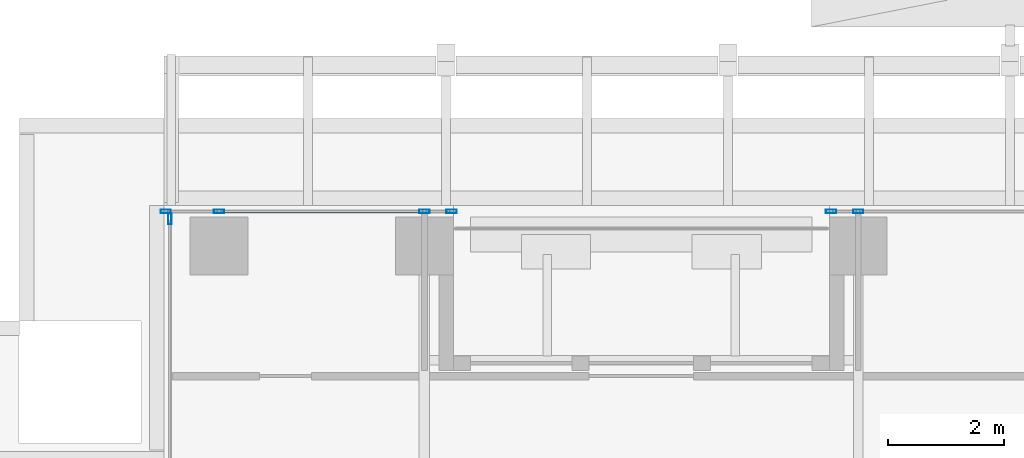
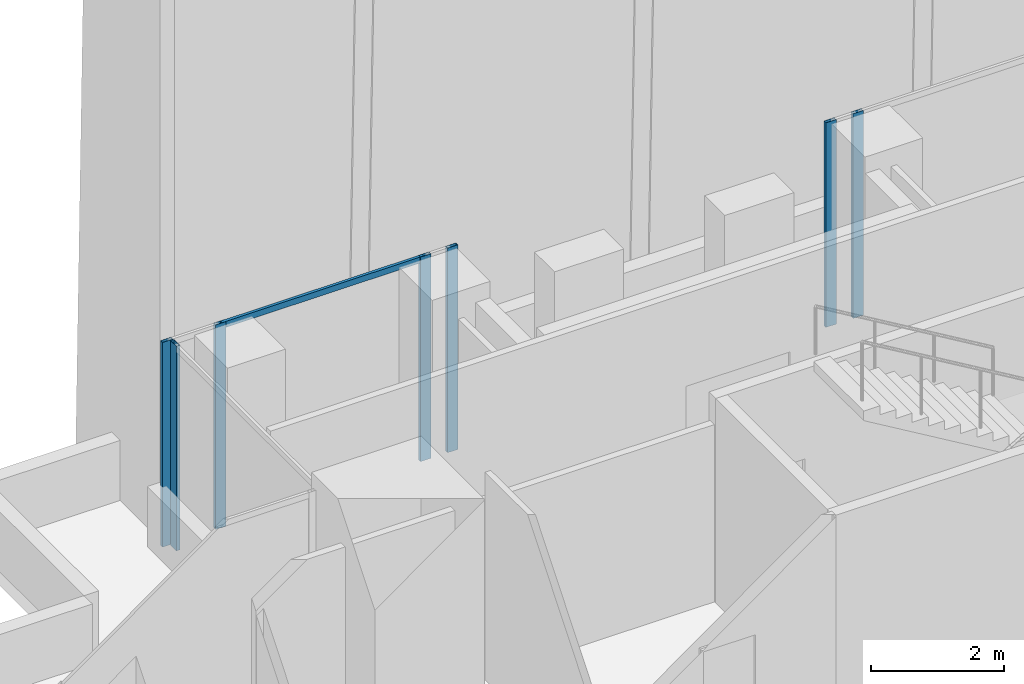
# One storey, part 21 of 43: 8 members, 3 elements without a shape of their own.
"""IFC4 building model written with IfcOpenShell, lengths in metres."""

from ifc_helpers import new_model, si_unit, direction, frame, origin, origin_2d, place, context, subcontext, project, spatial, hollow_rectangle, extrude, source, transform, mapped, material, material_profile, profile_set, type_object, element, aggregate, save


model = new_model("IFC4")

# Units and contexts
model_context = context("Model", 3, precision=1e-05, world=origin(), true_north=direction((0.0, 1.0)))
body_context = subcontext(model_context, "Body", "Model", "MODEL_VIEW")
ifc_project = project(units=[si_unit("LENGTHUNIT", "METRE"), si_unit("AREAUNIT", "SQUARE_METRE"), si_unit("VOLUMEUNIT", "CUBIC_METRE"), si_unit("PLANEANGLEUNIT", "RADIAN"), si_unit("MASSUNIT", "GRAM", prefix="KILO")], contexts=[model_context])

# Site, building, storey
site_placement = place(None, origin())
site = spatial("IfcSite", under=ifc_project, at=site_placement, CompositionType="ELEMENT")
building_placement = place(site_placement, origin())
building = spatial("IfcBuilding", under=site, at=building_placement, Name="Khomas Fold Tower", CompositionType="ELEMENT")
storey_placement = place(building_placement, frame((0.0, 0.0, 164.699951171875)))
storey = spatial("IfcBuildingStorey", under=building, at=storey_placement, Name="L35", CompositionType="ELEMENT", Elevation=164.699951171875)

# Curtain wall, members
ifc_material_1 = material(Name="Aluminium framed double glazing", Category="aluminium")
curtain_wall_type = type_object("IfcCurtainWallType", Name="SK-Unitised clear-glass wall, office floors CW2", PredefinedType="NOTDEFINED", material=ifc_material_1)
curtain_wall_1_placement = place(storey_placement, origin())
curtain_wall_1 = element("IfcCurtainWall", 1, at=curtain_wall_1_placement, inside=storey, type_object=curtain_wall_type, Name="CW2 run L35 15-0", PredefinedType="NOTDEFINED")
ifc_material_2 = material(Name="Aluminium", Category="aluminium")
ifc_material_profile_1 = material_profile(ifc_material_2, hollow_rectangle(XDim=0.06005859375, YDim=0.179931640625, WallThickness=0.00390625, at=origin_2d()), Name="SK-Unitised clear-glass wall, office floors mullion CW2-M")
ifc_profile_set_1 = profile_set([ifc_material_profile_1], Name="Aluminium")
member_type_1 = type_object("IfcMemberType", Name="SK-Unitised clear-glass wall, office floors mullion CW2-M", PredefinedType="MULLION", material=ifc_profile_set_1)
shared_shape_1 = source(origin(), body_context, "Body", "SweptSolid", [
    extrude(hollow_rectangle(XDim=0.06005859375, YDim=0.179931640625, WallThickness=0.00390625, at=origin_2d()), origin(), (0.0, 0.0, 1.0), 3.75),
])
member_1_placement = place(storey_placement, frame((19.5, 50.89990234375, 0.0), z_axis=(0.0, 0.0, 1.0), x_axis=(0.0, -1.0, 0.0)))
member_1 = element("IfcMember", 2, at=member_1_placement, type_object=member_type_1, Name="CW2 mullion 3", PredefinedType="MULLION", context=body_context, shape_type="MappedRepresentation", body=[
    mapped(shared_shape_1, transform((0.0, 0.0, 0.0))),
])
member_2_placement = place(storey_placement, frame((19.030029296875, 50.89990234375, 0.0), z_axis=(0.0, 0.0, 1.0), x_axis=(0.0, -1.0, 0.0)))
member_2 = element("IfcMember", 3, at=member_2_placement, type_object=member_type_1, Name="CW2 mullion 4", PredefinedType="MULLION", context=body_context, shape_type="MappedRepresentation", body=[
    mapped(shared_shape_1, transform((0.0, 0.0, 0.0))),
])
aggregate(curtain_wall_1, [member_1, member_2])

curtain_wall_2_placement = place(storey_placement, origin())
curtain_wall_2 = element("IfcCurtainWall", 4, at=curtain_wall_2_placement, inside=storey, type_object=curtain_wall_type, Name="CW2 run L35 15-1", PredefinedType="NOTDEFINED")
member_3_placement = place(storey_placement, frame((12.469970703125, 50.89990234375, 0.0), z_axis=(0.0, 0.0, 1.0), x_axis=(0.0, -1.0, 0.0)))
member_3 = element("IfcMember", 5, at=member_3_placement, type_object=member_type_1, Name="CW2 mullion 1", PredefinedType="MULLION", context=body_context, shape_type="MappedRepresentation", body=[
    mapped(shared_shape_1, transform((0.0, 0.0, 0.0))),
])
member_4_placement = place(storey_placement, frame((12.0, 50.89990234375, 0.0), z_axis=(0.0, 0.0, 1.0), x_axis=(0.0, -1.0, 0.0)))
member_4 = element("IfcMember", 6, at=member_4_placement, type_object=member_type_1, Name="CW2 mullion 2", PredefinedType="MULLION", context=body_context, shape_type="MappedRepresentation", body=[
    mapped(shared_shape_1, transform((0.0, 0.0, 0.0))),
])
member_5_placement = place(storey_placement, frame((8.449951171875, 50.89990234375, 0.0), z_axis=(0.0, 0.0, 1.0), x_axis=(0.0, -1.0, 0.0)))
member_5 = element("IfcMember", 7, at=member_5_placement, type_object=member_type_1, Name="CW2 mullion 3", PredefinedType="MULLION", context=body_context, shape_type="MappedRepresentation", body=[
    mapped(shared_shape_1, transform((0.0, 0.0, 0.0))),
])
member_6_placement = place(storey_placement, frame((7.530029296875, 50.89990234375, 0.0), z_axis=(0.0, 0.0, 1.0), x_axis=(0.0, -1.0, 0.0)))
member_6 = element("IfcMember", 8, at=member_6_placement, type_object=member_type_1, Name="CW2 mullion 4", PredefinedType="MULLION", context=body_context, shape_type="MappedRepresentation", body=[
    mapped(shared_shape_1, transform((0.0, 0.0, 0.0))),
])

# Curtain wall, member
curtain_wall_3_placement = place(storey_placement, origin())
curtain_wall_3 = element("IfcCurtainWall", 9, at=curtain_wall_3_placement, inside=storey, type_object=curtain_wall_type, Name="CW2 corner return L35 16", PredefinedType="NOTDEFINED")
member_7_placement = place(storey_placement, frame((7.60009765625, 50.77001953125, 0.0), z_axis=(0.0, 0.0, 1.0), x_axis=(1.0, 0.0, 0.0)))
member_7 = element("IfcMember", 10, at=member_7_placement, type_object=member_type_1, Name="CW2 mullion 1", PredefinedType="MULLION", context=body_context, shape_type="MappedRepresentation", body=[
    mapped(shared_shape_1, transform((0.0, 0.0, 0.0))),
])
aggregate(curtain_wall_3, [member_7])

# Member
ifc_material_3 = material(Name="Aluminium", Category="aluminium")
ifc_material_profile_2 = material_profile(ifc_material_3, hollow_rectangle(XDim=0.050048828125, YDim=0.110107421875, WallThickness=0.00390625, at=origin_2d()), Name="SK-Unitised clear-glass wall, office floors transom CW2-T")
ifc_profile_set_2 = profile_set([ifc_material_profile_2], Name="Aluminium")
member_type_2 = type_object("IfcMemberType", Name="SK-Unitised clear-glass wall, office floors transom CW2-T", PredefinedType="USERDEFINED", material=ifc_profile_set_2)
shared_shape_2 = source(origin(), body_context, "Body", "SweptSolid", [
    extrude(hollow_rectangle(XDim=0.050048828125, YDim=0.110107421875, WallThickness=0.00390625, at=origin_2d()), origin(), (0.0, 0.0, 1.0), 3.489990234375),
])
member_8_placement = place(storey_placement, frame((11.969970703125, 50.89990234375, 3.695068359375), z_axis=(-1.0, 0.0, 0.0), x_axis=(0.0, -1.0, 0.0)))
member_8 = element("IfcMember", 11, at=member_8_placement, type_object=member_type_2, Name="CW2 transom 2", ObjectType="TRANSOM", PredefinedType="USERDEFINED", context=body_context, shape_type="MappedRepresentation", body=[
    mapped(shared_shape_2, transform((0.0, 0.0, 0.0))),
])

aggregate(curtain_wall_2, [member_3, member_4, member_5, member_6, member_8])

save(model, "model.ifc")
